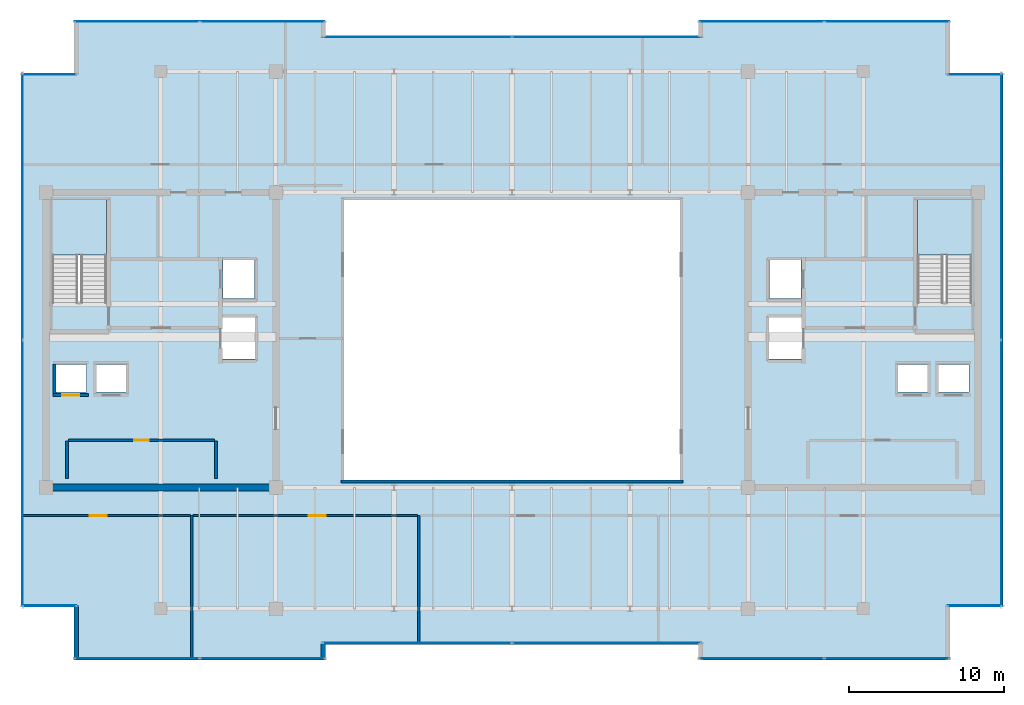
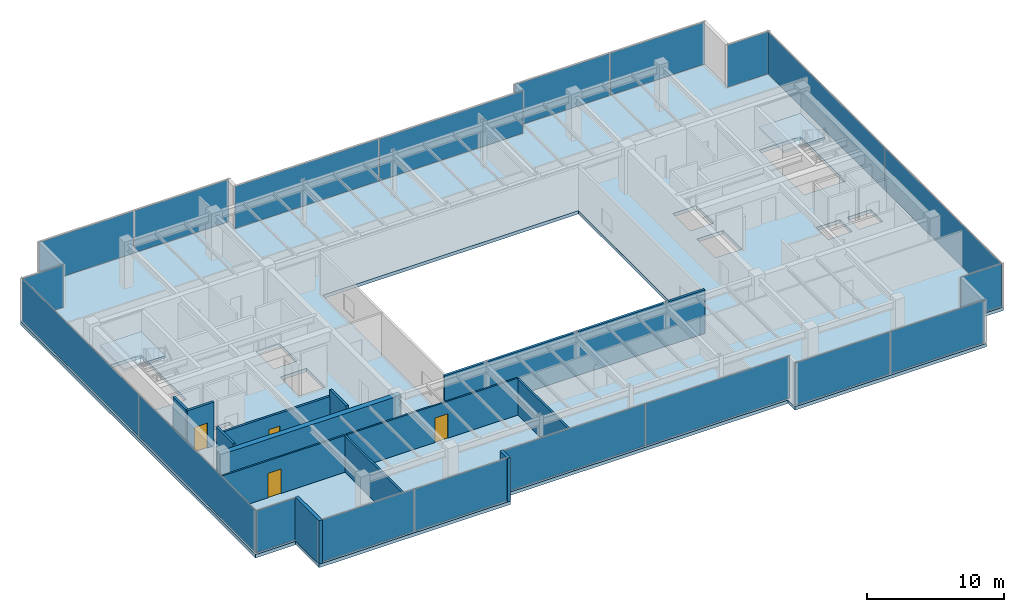
# One storey, part 26 of 31: 20 plates, 13 walls, 4 doors, 3 slabs, 4 openings, 14 elements without a shape of their own.
"""IFC4 building model written with IfcOpenShell, lengths in metres."""

from ifc_helpers import new_model, si_unit, direction, frame, frame_2d, origin, origin_2d, place, context, subcontext, project, spatial, polyline, rectangle, outline, extrude, source, transform, mapped, material, layer, layer_set, type_object, type_shapes, element, fill, aggregate, save


model = new_model("IFC4")

# Units and contexts
model_context = context("Model", 3, precision=1e-05, world=origin(), true_north=direction((0.0, 1.0)))
body_context = subcontext(model_context, "Body", "Model", "MODEL_VIEW")
ifc_project = project(units=[si_unit("LENGTHUNIT", "METRE"), si_unit("AREAUNIT", "SQUARE_METRE"), si_unit("VOLUMEUNIT", "CUBIC_METRE"), si_unit("PLANEANGLEUNIT", "RADIAN"), si_unit("MASSUNIT", "GRAM", prefix="KILO")], contexts=[model_context])

# Site, building, storey
site_placement = place(None, origin())
site = spatial("IfcSite", under=ifc_project, at=site_placement, CompositionType="ELEMENT")
building_placement = place(site_placement, origin())
building = spatial("IfcBuilding", under=site, at=building_placement, Name="Haelvirn Gate Laboratories", CompositionType="ELEMENT")
storey_placement = place(building_placement, frame((0.0, 0.0, 318.60009765625)))
storey = spatial("IfcBuildingStorey", under=building, at=storey_placement, Name="L76", CompositionType="ELEMENT", Elevation=318.60009765625)

# Stair, slab
ifc_material_1 = material(Name="Concrete C40/50", Category="concrete")
stair_type = type_object("IfcStairType", Name="ST-DOG-1650-R24", PredefinedType="HALF_TURN_STAIR", material=ifc_material_1)
stair_1_placement = place(storey_placement, origin())
stair_1 = element("IfcStair", 1, at=stair_1_placement, inside=storey, type_object=stair_type, Name="L76 Escape Stair ST1", PredefinedType="HALF_TURN_STAIR")
ifc_layer_1 = layer(ifc_material_1, 0.199951171875, Name="SL-STAIR-LND")
ifc_layer_set_1 = layer_set([ifc_layer_1], Name="Concrete C40/50")
slab_type_1 = type_object("IfcSlabType", Name="SL-STAIR-LND", PredefinedType="LANDING", material=ifc_layer_set_1)
slab_1_placement = place(storey_placement, frame((0.0, 0.0, 1.89990234375)))
slab_1 = element("IfcSlab", 2, at=slab_1_placement, type_object=slab_type_1, Name="ST1 landing 1", PredefinedType="LANDING", context=body_context, shape_type="SweptSolid", body=[
    extrude(outline(polyline([(11.300048828125, 29.780029296875), (11.300048828125, 33.35009765625), (7.800048828125, 33.35009765625), (7.800048828125, 29.780029296875), (11.300048828125, 29.780029296875)])), origin(), (0.0, 0.0, 1.0), 0.199951171875),
])
aggregate(stair_1, [slab_1])

stair_2_placement = place(storey_placement, origin())
stair_2 = element("IfcStair", 3, at=stair_2_placement, inside=storey, type_object=stair_type, Name="L76 Escape Stair ST2", PredefinedType="HALF_TURN_STAIR")
slab_2_placement = place(storey_placement, frame((0.0, 0.0, 1.89990234375)))
slab_2 = element("IfcSlab", 4, at=slab_2_placement, type_object=slab_type_1, Name="ST2 landing 1", PredefinedType="LANDING", context=body_context, shape_type="SweptSolid", body=[
    extrude(outline(polyline([(67.0, 29.780029296875), (67.0, 33.35009765625), (63.5, 33.35009765625), (63.5, 29.780029296875), (67.0, 29.780029296875)])), origin(), (0.0, 0.0, 1.0), 0.199951171875),
])
aggregate(stair_2, [slab_2])

# Slab
ifc_layer_2 = layer(ifc_material_1, 0.300048828125, Name="SL-Z3-300")
ifc_layer_set_2 = layer_set([ifc_layer_2], Name="Concrete C40/50")
slab_type_2 = type_object("IfcSlabType", Name="SL-Z3-300", PredefinedType="FLOOR", material=ifc_layer_set_2)
slab_3_placement = place(storey_placement, frame((0.0, 0.0, -0.300048828125)))
element("IfcSlab", 5, at=slab_3_placement, inside=storey, type_object=slab_type_2, Name="L76 Structural Slab MAIN", PredefinedType="FLOOR", context=body_context, shape_type="SweptSolid", body=[
    extrude(outline(polyline([(9.199951171875, 3.699951171875), (25.39990234375, 3.699951171875), (25.39990234375, 4.699951171875), (49.39990234375, 4.699951171875), (49.39990234375, 3.699951171875), (65.60009765625, 3.699951171875), (65.60009765625, 7.10009765625), (69.0, 7.10009765625), (69.0, 41.5), (65.60009765625, 41.5), (65.60009765625, 44.89990234375), (49.39990234375, 44.89990234375), (49.39990234375, 43.89990234375), (25.39990234375, 43.89990234375), (25.39990234375, 44.89990234375), (9.199951171875, 44.89990234375), (9.199951171875, 41.5), (5.800048828125, 41.5), (5.800048828125, 7.10009765625), (9.199951171875, 7.10009765625), (9.199951171875, 3.699951171875)]), holes=[polyline([(26.60009765625, 15.300048828125), (48.199951171875, 15.300048828125), (48.199951171875, 33.300048828125), (26.60009765625, 33.300048828125), (26.60009765625, 15.300048828125)]), polyline([(11.300048828125, 26.780029296875), (11.300048828125, 33.35009765625), (7.800048828125, 33.35009765625), (7.800048828125, 26.780029296875), (11.300048828125, 26.780029296875)]), polyline([(67.0, 26.780029296875), (67.0, 33.35009765625), (63.5, 33.35009765625), (63.5, 26.780029296875), (67.0, 26.780029296875)]), polyline([(7.989990234375, 20.969970703125), (10.010009765625, 20.969970703125), (10.010009765625, 22.7099609375), (7.989990234375, 22.7099609375), (7.989990234375, 20.969970703125)]), polyline([(10.590087890625, 20.969970703125), (12.610107421875, 20.969970703125), (12.610107421875, 22.7099609375), (10.590087890625, 22.7099609375), (10.590087890625, 20.969970703125)]), polyline([(18.7900390625, 26.969970703125), (20.81005859375, 26.969970703125), (20.81005859375, 29.510009765625), (18.7900390625, 29.510009765625), (18.7900390625, 26.969970703125)]), polyline([(18.68994140625, 23.070068359375), (20.909912109375, 23.070068359375), (20.909912109375, 25.81005859375), (18.68994140625, 25.81005859375), (18.68994140625, 23.070068359375)]), polyline([(64.7900390625, 20.969970703125), (66.81005859375, 20.969970703125), (66.81005859375, 22.7099609375), (64.7900390625, 22.7099609375), (64.7900390625, 20.969970703125)]), polyline([(62.18994140625, 20.969970703125), (64.2099609375, 20.969970703125), (64.2099609375, 22.7099609375), (62.18994140625, 22.7099609375), (62.18994140625, 20.969970703125)]), polyline([(53.989990234375, 26.969970703125), (56.010009765625, 26.969970703125), (56.010009765625, 29.510009765625), (53.989990234375, 29.510009765625), (53.989990234375, 26.969970703125)]), polyline([(53.889892578125, 23.070068359375), (56.110107421875, 23.070068359375), (56.110107421875, 25.81005859375), (53.889892578125, 25.81005859375), (53.889892578125, 23.070068359375)])]), origin(), (0.0, 0.0, 1.0), 0.300048828125),
])

# Curtain wall, plates
ifc_material_2 = material(Name="Anodised bronze unitised aluminium & triple low-E glass", Category="aluminium")
ifc_layer_3 = layer(ifc_material_2, 0.176025390625, Name="CW-SYS-4")
ifc_layer_set_3 = layer_set([ifc_layer_3], Name="Anodised bronze unitised aluminium & triple low-E glass")
curtain_wall_type_1 = type_object("IfcCurtainWallType", Name="CW-SYS-4", PredefinedType="NOTDEFINED", material=ifc_layer_set_3)
curtain_wall_1_placement = place(storey_placement, origin())
curtain_wall_1 = element("IfcCurtainWall", 6, at=curtain_wall_1_placement, inside=storey, type_object=curtain_wall_type_1, Name="L76 Unitised Curtain Wall CW-L76-P0-E02-1", PredefinedType="NOTDEFINED")
ifc_material_3 = material(Name="Acoustic laminated bronze triple IGU 36 mm", Category="glass")
ifc_layer_4 = layer(ifc_material_3, 0.035888671875, Name="CWP-IGU-36")
ifc_layer_set_4 = layer_set([ifc_layer_4], Name="Acoustic laminated bronze triple IGU 36 mm")
plate_type_1 = type_object("IfcPlateType", Name="CWP-IGU-36", PredefinedType="CURTAIN_PANEL", material=ifc_layer_set_4)
shared_shape_1 = source(origin(), body_context, "Body", "SweptSolid", [
    extrude(rectangle(XDim=12.135009765625, YDim=0.035888671875, at=origin_2d()), origin(), (0.0, 0.0, 1.0), 3.77001953125),
])
plate_1_placement = place(storey_placement, frame((31.297607421875, 4.800048828125, 0.06494140625), z_axis=(0.0, 0.0, 1.0), x_axis=(1.0, 0.0, 0.0)))
plate_1 = element("IfcPlate", 7, at=plate_1_placement, type_object=plate_type_1, Name="CW4 panel 1.1", PredefinedType="CURTAIN_PANEL", context=body_context, shape_type="MappedRepresentation", body=[
    mapped(shared_shape_1, transform((0.0, 0.0, 0.0), scale=1.0)),
])
plate_2_placement = place(storey_placement, frame((43.50244140625, 4.800048828125, 0.06494140625), z_axis=(0.0, 0.0, 1.0), x_axis=(1.0, 0.0, 0.0)))
plate_2 = element("IfcPlate", 8, at=plate_2_placement, type_object=plate_type_1, Name="CW4 panel 2.1", PredefinedType="CURTAIN_PANEL", context=body_context, shape_type="MappedRepresentation", body=[
    mapped(shared_shape_1, transform((0.0, 0.0, 0.0), scale=1.0)),
])
aggregate(curtain_wall_1, [plate_1, plate_2])

curtain_wall_2_placement = place(storey_placement, origin())
curtain_wall_2 = element("IfcCurtainWall", 9, at=curtain_wall_2_placement, inside=storey, type_object=curtain_wall_type_1, Name="L76 Unitised Curtain Wall CW-L76-P0-E12-1", PredefinedType="NOTDEFINED")
plate_3_placement = place(storey_placement, frame((31.297607421875, 43.800048828125, 0.06494140625), z_axis=(0.0, 0.0, 1.0), x_axis=(1.0, 0.0, 0.0)))
plate_3 = element("IfcPlate", 10, at=plate_3_placement, type_object=plate_type_1, Name="CW4 panel 1.1", PredefinedType="CURTAIN_PANEL", context=body_context, shape_type="MappedRepresentation", body=[
    mapped(shared_shape_1, transform((0.0, 0.0, 0.0), scale=1.0)),
])
plate_4_placement = place(storey_placement, frame((43.50244140625, 43.800048828125, 0.06494140625), z_axis=(0.0, 0.0, 1.0), x_axis=(1.0, 0.0, 0.0)))
plate_4 = element("IfcPlate", 11, at=plate_4_placement, type_object=plate_type_1, Name="CW4 panel 2.1", PredefinedType="CURTAIN_PANEL", context=body_context, shape_type="MappedRepresentation", body=[
    mapped(shared_shape_1, transform((0.0, 0.0, 0.0), scale=1.0)),
])
aggregate(curtain_wall_2, [plate_3, plate_4])

# Curtain wall, plate
ifc_layer_5 = layer(ifc_material_2, 0.181884765625, Name="CW-SYS-5")
ifc_layer_set_5 = layer_set([ifc_layer_5], Name="Anodised bronze unitised aluminium & triple low-E glass")
curtain_wall_type_2 = type_object("IfcCurtainWallType", Name="CW-SYS-5", PredefinedType="NOTDEFINED", material=ifc_layer_set_5)
curtain_wall_3_placement = place(storey_placement, origin())
curtain_wall_3 = element("IfcCurtainWall", 12, at=curtain_wall_3_placement, inside=storey, type_object=curtain_wall_type_2, Name="L76 Unitised Curtain Wall CW-L76-P0-E06-1", PredefinedType="NOTDEFINED")
ifc_material_4 = material(Name="Clear low-iron notched-corner triple IGU 42 mm", Category="glass")
ifc_layer_6 = layer(ifc_material_4, 0.0419921875, Name="CWP-NTC-42")
ifc_layer_set_6 = layer_set([ifc_layer_6], Name="Clear low-iron notched-corner triple IGU 42 mm")
plate_type_2 = type_object("IfcPlateType", Name="CWP-NTC-42", PredefinedType="CURTAIN_PANEL", material=ifc_layer_set_6)
shared_shape_2 = source(origin(), body_context, "Body", "SweptSolid", [
    extrude(rectangle(XDim=3.47998046875, YDim=0.0419921875, at=origin_2d()), origin(), (0.0, 0.0, 1.0), 3.77001953125),
])
type_shapes(plate_type_2, [shared_shape_2])
plate_5_placement = place(storey_placement, frame((67.179931640625, 7.199951171875, 0.06494140625), z_axis=(0.0, 0.0, 1.0), x_axis=(1.0, 0.0, 0.0)))
plate_5 = element("IfcPlate", 13, at=plate_5_placement, type_object=plate_type_2, Name="CW5 panel 1.1", PredefinedType="CURTAIN_PANEL", context=body_context, shape_type="MappedRepresentation", body=[
    mapped(shared_shape_2, transform((0.0, 0.0, 0.0), scale=1.0)),
])
aggregate(curtain_wall_3, [plate_5])

curtain_wall_4_placement = place(storey_placement, origin())
curtain_wall_4 = element("IfcCurtainWall", 14, at=curtain_wall_4_placement, inside=storey, type_object=curtain_wall_type_2, Name="L76 Unitised Curtain Wall CW-L76-P0-E08-1", PredefinedType="NOTDEFINED")
plate_6_placement = place(storey_placement, frame((67.179931640625, 41.39990234375, 0.06494140625), z_axis=(0.0, 0.0, 1.0), x_axis=(1.0, 0.0, 0.0)))
plate_6 = element("IfcPlate", 15, at=plate_6_placement, type_object=plate_type_2, Name="CW5 panel 1.1", PredefinedType="CURTAIN_PANEL", context=body_context, shape_type="MappedRepresentation", body=[
    mapped(shared_shape_2, transform((0.0, 0.0, 0.0), scale=1.0)),
])
aggregate(curtain_wall_4, [plate_6])

curtain_wall_5_placement = place(storey_placement, origin())
curtain_wall_5 = element("IfcCurtainWall", 16, at=curtain_wall_5_placement, inside=storey, type_object=curtain_wall_type_2, Name="L76 Unitised Curtain Wall CW-L76-P0-E16-1", PredefinedType="NOTDEFINED")
plate_7_placement = place(storey_placement, frame((7.6201171875, 41.39990234375, 0.06494140625), z_axis=(0.0, 0.0, 1.0), x_axis=(1.0, 0.0, 0.0)))
plate_7 = element("IfcPlate", 17, at=plate_7_placement, type_object=plate_type_2, Name="CW5 panel 1.1", PredefinedType="CURTAIN_PANEL", context=body_context, shape_type="MappedRepresentation", body=[
    mapped(shared_shape_2, transform((0.0, 0.0, 0.0), scale=1.0)),
])
aggregate(curtain_wall_5, [plate_7])

curtain_wall_6_placement = place(storey_placement, origin())
curtain_wall_6 = element("IfcCurtainWall", 18, at=curtain_wall_6_placement, inside=storey, type_object=curtain_wall_type_2, Name="L76 Unitised Curtain Wall CW-L76-P0-E18-1", PredefinedType="NOTDEFINED")
plate_8_placement = place(storey_placement, frame((7.6201171875, 7.199951171875, 0.06494140625), z_axis=(0.0, 0.0, 1.0), x_axis=(1.0, 0.0, 0.0)))
plate_8 = element("IfcPlate", 19, at=plate_8_placement, type_object=plate_type_2, Name="CW5 panel 1.1", PredefinedType="CURTAIN_PANEL", context=body_context, shape_type="MappedRepresentation", body=[
    mapped(shared_shape_2, transform((0.0, 0.0, 0.0), scale=1.0)),
])
aggregate(curtain_wall_6, [plate_8])

# Curtain wall, plates
curtain_wall_7_placement = place(storey_placement, origin())
curtain_wall_7 = element("IfcCurtainWall", 20, at=curtain_wall_7_placement, inside=storey, type_object=curtain_wall_type_1, Name="L76 Unitised Curtain Wall CW-L76-P0-E07", PredefinedType="NOTDEFINED")
shared_shape_3 = source(origin(), body_context, "Body", "SweptSolid", [
    extrude(rectangle(XDim=17.094970703125, YDim=0.035888671875, at=origin_2d()), origin(), (0.0, 0.0, 1.0), 3.77001953125),
])
plate_9_placement = place(storey_placement, frame((68.89990234375, 15.717529296875, 0.06494140625), z_axis=(0.0, 0.0, 1.0), x_axis=(0.0, 1.0, 0.0)))
plate_9 = element("IfcPlate", 21, at=plate_9_placement, type_object=plate_type_1, Name="CW4 panel 1.1", PredefinedType="CURTAIN_PANEL", context=body_context, shape_type="MappedRepresentation", body=[
    mapped(shared_shape_3, transform((0.0, 0.0, 0.0), scale=1.0)),
])
plate_10_placement = place(storey_placement, frame((68.89990234375, 32.882568359375, 0.06494140625), z_axis=(0.0, 0.0, 1.0), x_axis=(0.0, 1.0, 0.0)))
plate_10 = element("IfcPlate", 22, at=plate_10_placement, type_object=plate_type_1, Name="CW4 panel 2.1", PredefinedType="CURTAIN_PANEL", context=body_context, shape_type="MappedRepresentation", body=[
    mapped(shared_shape_3, transform((0.0, 0.0, 0.0), scale=1.0)),
])
aggregate(curtain_wall_7, [plate_9, plate_10])

curtain_wall_8_placement = place(storey_placement, origin())
curtain_wall_8 = element("IfcCurtainWall", 23, at=curtain_wall_8_placement, inside=storey, type_object=curtain_wall_type_1, Name="L76 Unitised Curtain Wall CW-L76-P0-E17", PredefinedType="NOTDEFINED")
plate_11_placement = place(storey_placement, frame((5.89990234375, 32.882568359375, 0.06494140625), z_axis=(0.0, 0.0, 1.0), x_axis=(0.0, -1.0, 0.0)))
plate_11 = element("IfcPlate", 24, at=plate_11_placement, type_object=plate_type_1, Name="CW4 panel 1.1", PredefinedType="CURTAIN_PANEL", context=body_context, shape_type="MappedRepresentation", body=[
    mapped(shared_shape_3, transform((0.0, 0.0, 0.0), scale=1.0)),
])
plate_12_placement = place(storey_placement, frame((5.89990234375, 15.717529296875, 0.06494140625), z_axis=(0.0, 0.0, 1.0), x_axis=(0.0, -1.0, 0.0)))
plate_12 = element("IfcPlate", 25, at=plate_12_placement, type_object=plate_type_1, Name="CW4 panel 2.1", PredefinedType="CURTAIN_PANEL", context=body_context, shape_type="MappedRepresentation", body=[
    mapped(shared_shape_3, transform((0.0, 0.0, 0.0), scale=1.0)),
])
aggregate(curtain_wall_8, [plate_11, plate_12])

curtain_wall_9_placement = place(storey_placement, origin())
curtain_wall_9 = element("IfcCurtainWall", 26, at=curtain_wall_9_placement, inside=storey, type_object=curtain_wall_type_1, Name="L76 Unitised Curtain Wall CW-L76-P0-E00-1", PredefinedType="NOTDEFINED")
shared_shape_4 = source(origin(), body_context, "Body", "SweptSolid", [
    extrude(rectangle(XDim=7.9951171875, YDim=0.035888671875, at=origin_2d()), origin(), (0.0, 0.0, 1.0), 3.77001953125),
])
type_shapes(plate_type_1, [shared_shape_1, shared_shape_3, shared_shape_4])
plate_13_placement = place(storey_placement, frame((13.267578125, 3.800048828125, 0.06494140625), z_axis=(0.0, 0.0, 1.0), x_axis=(1.0, 0.0, 0.0)))
plate_13 = element("IfcPlate", 27, at=plate_13_placement, type_object=plate_type_1, Name="CW4 panel 1.1", PredefinedType="CURTAIN_PANEL", context=body_context, shape_type="MappedRepresentation", body=[
    mapped(shared_shape_4, transform((0.0, 0.0, 0.0), scale=1.0)),
])
plate_14_placement = place(storey_placement, frame((21.33251953125, 3.800048828125, 0.06494140625), z_axis=(0.0, 0.0, 1.0), x_axis=(1.0, 0.0, 0.0)))
plate_14 = element("IfcPlate", 28, at=plate_14_placement, type_object=plate_type_1, Name="CW4 panel 2.1", PredefinedType="CURTAIN_PANEL", context=body_context, shape_type="MappedRepresentation", body=[
    mapped(shared_shape_4, transform((0.0, 0.0, 0.0), scale=1.0)),
])
aggregate(curtain_wall_9, [plate_13, plate_14])

curtain_wall_10_placement = place(storey_placement, origin())
curtain_wall_10 = element("IfcCurtainWall", 29, at=curtain_wall_10_placement, inside=storey, type_object=curtain_wall_type_1, Name="L76 Unitised Curtain Wall CW-L76-P0-E04-1", PredefinedType="NOTDEFINED")
plate_15_placement = place(storey_placement, frame((53.467529296875, 3.800048828125, 0.06494140625), z_axis=(0.0, 0.0, 1.0), x_axis=(1.0, 0.0, 0.0)))
plate_15 = element("IfcPlate", 30, at=plate_15_placement, type_object=plate_type_1, Name="CW4 panel 1.1", PredefinedType="CURTAIN_PANEL", context=body_context, shape_type="MappedRepresentation", body=[
    mapped(shared_shape_4, transform((0.0, 0.0, 0.0), scale=1.0)),
])
plate_16_placement = place(storey_placement, frame((61.532470703125, 3.800048828125, 0.06494140625), z_axis=(0.0, 0.0, 1.0), x_axis=(1.0, 0.0, 0.0)))
plate_16 = element("IfcPlate", 31, at=plate_16_placement, type_object=plate_type_1, Name="CW4 panel 2.1", PredefinedType="CURTAIN_PANEL", context=body_context, shape_type="MappedRepresentation", body=[
    mapped(shared_shape_4, transform((0.0, 0.0, 0.0), scale=1.0)),
])
aggregate(curtain_wall_10, [plate_15, plate_16])

curtain_wall_11_placement = place(storey_placement, origin())
curtain_wall_11 = element("IfcCurtainWall", 32, at=curtain_wall_11_placement, inside=storey, type_object=curtain_wall_type_1, Name="L76 Unitised Curtain Wall CW-L76-P0-E10-1", PredefinedType="NOTDEFINED")
plate_17_placement = place(storey_placement, frame((53.467529296875, 44.800048828125, 0.06494140625), z_axis=(0.0, 0.0, 1.0), x_axis=(1.0, 0.0, 0.0)))
plate_17 = element("IfcPlate", 33, at=plate_17_placement, type_object=plate_type_1, Name="CW4 panel 1.1", PredefinedType="CURTAIN_PANEL", context=body_context, shape_type="MappedRepresentation", body=[
    mapped(shared_shape_4, transform((0.0, 0.0, 0.0), scale=1.0)),
])
plate_18_placement = place(storey_placement, frame((61.532470703125, 44.800048828125, 0.06494140625), z_axis=(0.0, 0.0, 1.0), x_axis=(1.0, 0.0, 0.0)))
plate_18 = element("IfcPlate", 34, at=plate_18_placement, type_object=plate_type_1, Name="CW4 panel 2.1", PredefinedType="CURTAIN_PANEL", context=body_context, shape_type="MappedRepresentation", body=[
    mapped(shared_shape_4, transform((0.0, 0.0, 0.0), scale=1.0)),
])
aggregate(curtain_wall_11, [plate_17, plate_18])

curtain_wall_12_placement = place(storey_placement, origin())
curtain_wall_12 = element("IfcCurtainWall", 35, at=curtain_wall_12_placement, inside=storey, type_object=curtain_wall_type_1, Name="L76 Unitised Curtain Wall CW-L76-P0-E14-1", PredefinedType="NOTDEFINED")
plate_19_placement = place(storey_placement, frame((13.267578125, 44.800048828125, 0.06494140625), z_axis=(0.0, 0.0, 1.0), x_axis=(1.0, 0.0, 0.0)))
plate_19 = element("IfcPlate", 36, at=plate_19_placement, type_object=plate_type_1, Name="CW4 panel 1.1", PredefinedType="CURTAIN_PANEL", context=body_context, shape_type="MappedRepresentation", body=[
    mapped(shared_shape_4, transform((0.0, 0.0, 0.0), scale=1.0)),
])
plate_20_placement = place(storey_placement, frame((21.33251953125, 44.800048828125, 0.06494140625), z_axis=(0.0, 0.0, 1.0), x_axis=(1.0, 0.0, 0.0)))
plate_20 = element("IfcPlate", 37, at=plate_20_placement, type_object=plate_type_1, Name="CW4 panel 2.1", PredefinedType="CURTAIN_PANEL", context=body_context, shape_type="MappedRepresentation", body=[
    mapped(shared_shape_4, transform((0.0, 0.0, 0.0), scale=1.0)),
])
aggregate(curtain_wall_12, [plate_19, plate_20])

# Walls
ifc_material_5 = material(Name="Thermally-broken bronze aluminium rainscreen & mineral wool", Category="aluminium")
ifc_layer_7 = layer(ifc_material_5, 0.280029296875, Name="EW-TERR-280")
ifc_layer_set_7 = layer_set([ifc_layer_7], Name="Thermally-broken bronze aluminium rainscreen & mineral wool")
wall_type_1 = type_object("IfcWallType", Name="EW-TERR-280", PredefinedType="STANDARD", material=ifc_layer_set_7)
wall_1_placement = place(storey_placement, frame((25.260009765625, 3.699951171875, 0.0), z_axis=(0.0, 0.0, 1.0), x_axis=(0.0, 1.0, 0.0)))
element("IfcWall", 38, at=wall_1_placement, inside=storey, type_object=wall_type_1, Name="L76 Atrium Recess Bronze Return Wall 01", PredefinedType="STANDARD", context=body_context, shape_type="SweptSolid", body=[
    extrude(rectangle(XDim=1.093017578125, YDim=0.280029296875, at=frame_2d((0.54638671875, 0.0))), origin(), (0.0, 0.0, 1.0), 3.89990234375),
])
wall_2_placement = place(storey_placement, frame((9.340087890625, 7.18798828125, 0.0), z_axis=(0.0, 0.0, 1.0), x_axis=(0.0, -1.0, 0.0)))
element("IfcWall", 39, at=wall_2_placement, inside=storey, type_object=wall_type_1, Name="L76 Atrium Recess Bronze Return Wall 19", PredefinedType="STANDARD", context=body_context, shape_type="SweptSolid", body=[
    extrude(rectangle(XDim=3.488037109375, YDim=0.280029296875, at=frame_2d((1.744140625, 0.0))), origin(), (0.0, 0.0, 1.0), 3.89990234375),
])
ifc_material_6 = material(Name="Double-layer acoustic gypsum laboratory partition", Category="gypsum")
ifc_layer_8 = layer(ifc_material_6, 0.159912109375, Name="IW-ACOUST-160")
ifc_layer_set_8 = layer_set([ifc_layer_8], Name="Double-layer acoustic gypsum laboratory partition")
wall_type_2 = type_object("IfcWallType", Name="IW-ACOUST-160", PredefinedType="PARTITIONING", material=ifc_layer_set_8)
wall_3_placement = place(storey_placement, frame((16.800048828125, 3.81005859375, 0.0), z_axis=(0.0, 0.0, 1.0), x_axis=(0.0, 1.0, 0.0)))
element("IfcWall", 40, at=wall_3_placement, inside=storey, type_object=wall_type_2, Name="L76 Interior Wall IW-L76-SDIV-01", PredefinedType="PARTITIONING", context=body_context, shape_type="SweptSolid", body=[
    extrude(rectangle(XDim=9.18505859375, YDim=0.159912109375, at=frame_2d((4.592529296875, 0.0))), origin(), (0.0, 0.0, 1.0), 3.23486328125),
])
wall_4_placement = place(storey_placement, frame((31.39990234375, 4.81005859375, 0.0), z_axis=(0.0, 0.0, 1.0), x_axis=(0.0, 1.0, 0.0)))
element("IfcWall", 41, at=wall_4_placement, inside=storey, type_object=wall_type_2, Name="L76 Interior Wall IW-L76-SDIV-02", PredefinedType="PARTITIONING", context=body_context, shape_type="SweptSolid", body=[
    extrude(rectangle(XDim=8.18505859375, YDim=0.159912109375, at=frame_2d((4.092529296875, 0.0))), origin(), (0.0, 0.0, 1.0), 3.23486328125),
])
ifc_material_7 = material(Name="Tempered fire-rated borosilicate glass & anodised aluminium", Category="aluminium")
ifc_layer_9 = layer(ifc_material_7, 0.195068359375, Name="IW-GLAZ-200")
ifc_layer_set_9 = layer_set([ifc_layer_9], Name="Tempered fire-rated borosilicate glass & anodised aluminium")
wall_type_3 = type_object("IfcWallType", Name="IW-GLAZ-200", PredefinedType="SOLIDWALL", material=ifc_layer_set_9)
wall_5_placement = place(storey_placement, frame((26.39990234375, 15.199951171875, 0.0), z_axis=(0.0, 0.0, 1.0), x_axis=(1.0, 0.0, 0.0)))
element("IfcWall", 42, at=wall_5_placement, inside=storey, type_object=wall_type_3, Name="L76 Interior Wall IW-L76-ATRIUM-S", PredefinedType="SOLIDWALL", context=body_context, shape_type="SweptSolid", body=[
    extrude(rectangle(XDim=22.0, YDim=0.195068359375, at=frame_2d((11.0, 0.0))), origin(), (0.0, 0.0, 1.0), 3.89990234375),
])

# Wall, opening, door
ifc_material_8 = material(Name="Acoustic mineral-wool gypsum board partition", Category="gypsum")
ifc_layer_10 = layer(ifc_material_8, 0.139892578125, Name="IW-PART-140")
ifc_layer_set_10 = layer_set([ifc_layer_10], Name="Acoustic mineral-wool gypsum board partition")
wall_type_4 = type_object("IfcWallType", Name="IW-PART-140", PredefinedType="PARTITIONING", material=ifc_layer_set_10)
wall_6_placement = place(storey_placement, frame((5.909912109375, 12.9951171875, 0.0), z_axis=(0.0, 0.0, 1.0), x_axis=(1.0, 0.0, 0.0)))
wall_6 = element("IfcWall", 43, at=wall_6_placement, inside=storey, type_object=wall_type_4, Name="L76 Interior Wall IW-L76-SCORR-01", PredefinedType="PARTITIONING", context=body_context, shape_type="SweptSolid", body=[
    extrude(rectangle(XDim=10.81005859375, YDim=0.139892578125, at=frame_2d((5.405029296875, 0.0))), origin(), (0.0, 0.0, 1.0), 3.296875),
])
opening_1_placement = place(wall_6_placement, frame((4.314453125, 0.0, 0.0)))
opening_1 = element("IfcOpeningElement", 44, at=opening_1_placement, cuts=wall_6, Name="Opening D1", PredefinedType="OPENING", context=body_context, shape_type="SweptSolid", body=[
    extrude(rectangle(XDim=1.10009765625, YDim=2.179931640625, at=frame_2d((0.550048828125, 1.08984375))), frame((0.0, 0.080078125, 0.0), z_axis=(0.0, -1.0, 0.0), x_axis=(1.0, 0.0, 0.0)), (0.0, 0.0, 1.0), 0.159912109375),
])
ifc_material_9 = material(Name="Vision-panel acoustic solid-core timber lab door", Category="wood")
door_type_1 = type_object("IfcDoorType", Name="DR-LAB-1100", OperationType="NOTDEFINED", PredefinedType="DOOR", material=ifc_material_9)
shared_shape_5 = source(origin(), body_context, "Body", "SweptSolid", [
    extrude(rectangle(XDim=1.10009765625, YDim=2.179931640625, at=frame_2d((0.550048828125, 1.08984375))), frame((0.0, 0.02490234375, 0.0), z_axis=(0.0, -1.0, 0.0), x_axis=(1.0, 0.0, 0.0)), (0.0, 0.0, 1.0), 0.050048828125),
])
type_shapes(door_type_1, [shared_shape_5])
door_1_placement = place(opening_1_placement, origin())
door_1 = element("IfcDoor", 45, at=door_1_placement, inside=storey, type_object=door_type_1, Name="L76 Bioinformatics Dry-Lab Workspace Door S1", OperationType="SINGLE_SWING_LEFT", OverallHeight=2.179931640625, OverallWidth=1.10009765625, PredefinedType="DOOR", context=body_context, shape_type="MappedRepresentation", body=[
    mapped(shared_shape_5, transform((0.0, 0.0, 0.0), scale=1.0)),
])
fill(opening_1, door_1)

wall_7_placement = place(storey_placement, frame((16.8798828125, 12.9951171875, 0.0), z_axis=(0.0, 0.0, 1.0), x_axis=(1.0, 0.0, 0.0)))
wall_7 = element("IfcWall", 46, at=wall_7_placement, inside=storey, type_object=wall_type_4, Name="L76 Interior Wall IW-L76-SCORR-02", PredefinedType="PARTITIONING", context=body_context, shape_type="SweptSolid", body=[
    extrude(rectangle(XDim=14.440185546875, YDim=0.139892578125, at=frame_2d((7.22021484375, 0.0))), origin(), (0.0, 0.0, 1.0), 3.296875),
])
opening_2_placement = place(wall_7_placement, frame((7.428466796875, 0.0, 0.0)))
opening_2 = element("IfcOpeningElement", 47, at=opening_2_placement, cuts=wall_7, Name="Opening D1", PredefinedType="OPENING", context=body_context, shape_type="SweptSolid", body=[
    extrude(rectangle(XDim=1.10009765625, YDim=2.179931640625, at=frame_2d((0.550048828125, 1.08984375))), frame((0.0, 0.080078125, 0.0), z_axis=(0.0, -1.0, 0.0), x_axis=(1.0, 0.0, 0.0)), (0.0, 0.0, 1.0), 0.159912109375),
])
door_2_placement = place(opening_2_placement, origin())
door_2 = element("IfcDoor", 48, at=door_2_placement, inside=storey, type_object=door_type_1, Name="L76 Translational Data Office Door S2", OperationType="SINGLE_SWING_RIGHT", OverallHeight=2.179931640625, OverallWidth=1.10009765625, PredefinedType="DOOR", context=body_context, shape_type="MappedRepresentation", body=[
    mapped(shared_shape_5, transform((0.0, 0.0, 0.0), scale=1.0)),
])
fill(opening_2, door_2)

# Wall
ifc_layer_11 = layer(ifc_material_1, 0.179931640625, Name="IW-SHAFT-180")
ifc_layer_set_11 = layer_set([ifc_layer_11], Name="Concrete C40/50")
wall_type_5 = type_object("IfcWallType", Name="IW-SHAFT-180", PredefinedType="SOLIDWALL", material=ifc_layer_set_11)
wall_8_placement = place(storey_placement, frame((7.949951171875, 20.85009765625, 0.0), z_axis=(0.0, 0.0, 1.0), x_axis=(0.0, 1.0, 0.0)))
element("IfcWall", 49, at=wall_8_placement, inside=storey, type_object=wall_type_5, Name="L76 Interior Wall IW-L76-PL9-SD", PredefinedType="SOLIDWALL", context=body_context, shape_type="SweptSolid", body=[
    extrude(rectangle(XDim=1.89990234375, YDim=0.179931640625, at=frame_2d((0.949951171875, 0.0))), origin(), (0.0, 0.0, 1.0), 3.89990234375),
])

# Wall, opening, door
wall_9_placement = place(storey_placement, frame((8.85009765625, 17.85009765625, 0.0), z_axis=(0.0, 0.0, 1.0), x_axis=(1.0, 0.0, 0.0)))
wall_9 = element("IfcWall", 50, at=wall_9_placement, inside=storey, type_object=wall_type_5, Name="L76 Interior Wall IW-L76-W-FREED-HN-1", PredefinedType="SOLIDWALL", context=body_context, shape_type="SweptSolid", body=[
    extrude(rectangle(XDim=9.39990234375, YDim=0.179931640625, at=frame_2d((4.699951171875, 0.0))), origin(), (0.0, 0.0, 1.0), 3.296875),
])
opening_3_placement = place(wall_9_placement, frame((4.22509765625, 0.0, 0.0)))
opening_3 = element("IfcOpeningElement", 51, at=opening_3_placement, cuts=wall_9, Name="Opening FD4", PredefinedType="OPENING", context=body_context, shape_type="SweptSolid", body=[
    extrude(rectangle(XDim=0.949951171875, YDim=2.14990234375, at=frame_2d((0.47509765625, 1.074951171875))), frame((0.0, 0.10009765625, 0.0), z_axis=(0.0, -1.0, 0.0), x_axis=(1.0, 0.0, 0.0)), (0.0, 0.0, 1.0), 0.199951171875),
])
ifc_material_10 = material(Name="Fire-rated steel SM355 core service door", Category="steel")
door_type_2 = type_object("IfcDoorType", Name="DR-FD-950", OperationType="NOTDEFINED", PredefinedType="DOOR", material=ifc_material_10)
shared_shape_6 = source(origin(), body_context, "Body", "SweptSolid", [
    extrude(rectangle(XDim=0.949951171875, YDim=2.14990234375, at=frame_2d((0.47509765625, 1.074951171875))), frame((0.0, 0.02490234375, 0.0), z_axis=(0.0, -1.0, 0.0), x_axis=(1.0, 0.0, 0.0)), (0.0, 0.0, 1.0), 0.050048828125),
])
type_shapes(door_type_2, [shared_shape_6])
door_3_placement = place(opening_3_placement, origin())
door_3 = element("IfcDoor", 52, at=door_3_placement, inside=storey, type_object=door_type_2, Name="L76 Core Metrology & Calibration Laboratory Door", OperationType="SINGLE_SWING_LEFT", OverallHeight=2.14990234375, OverallWidth=0.949951171875, PredefinedType="DOOR", context=body_context, shape_type="MappedRepresentation", body=[
    mapped(shared_shape_6, transform((0.0, 0.0, 0.0), scale=1.0)),
])
fill(opening_3, door_3)

# Walls
for number, where, z_axis, x_axis, name in (
    (53, (18.340087890625, 15.39990234375, 0.0), (0.0, 0.0, 1.0), (0.0, 1.0, 0.0), "L76 Interior Wall IW-L76-W-FREED-HE-1"),
    (54, (8.760009765625, 15.39990234375, 0.0), (0.0, 0.0, 1.0), (0.0, 1.0, 0.0), "L76 Interior Wall IW-L76-W-FREED-HW-1"),
):
    element("IfcWall", number, at=place(storey_placement, frame(where, z_axis=z_axis, x_axis=x_axis)), inside=storey, type_object=wall_type_5, Name=name, PredefinedType="SOLIDWALL", context=body_context, shape_type="SweptSolid", body=[
        extrude(rectangle(XDim=2.400146484375, YDim=0.179931640625, at=frame_2d((1.2001953125, 0.0))), origin(), (0.0, 0.0, 1.0), 3.89990234375),
    ])

# Wall, opening, door
ifc_layer_12 = layer(ifc_material_1, 0.199951171875, Name="IW-SHAFT-200")
ifc_layer_set_12 = layer_set([ifc_layer_12], Name="Concrete C40/50")
wall_type_6 = type_object("IfcWallType", Name="IW-SHAFT-200", PredefinedType="SOLIDWALL", material=ifc_layer_set_12)
wall_10_placement = place(storey_placement, frame((7.8701171875, 20.75, 0.0), z_axis=(0.0, 0.0, 1.0), x_axis=(1.0, 0.0, 0.0)))
wall_10 = element("IfcWall", 55, at=wall_10_placement, inside=storey, type_object=wall_type_6, Name="L76 Interior Wall IW-L76-PL9-FR", PredefinedType="SOLIDWALL", context=body_context, shape_type="SweptSolid", body=[
    extrude(rectangle(XDim=2.259765625, YDim=0.199951171875, at=frame_2d((1.1298828125, 0.0))), origin(), (0.0, 0.0, 1.0), 3.89990234375),
])
opening_4_placement = place(wall_10_placement, frame((0.580078125, 0.0, 0.0)))
opening_4 = element("IfcOpeningElement", 56, at=opening_4_placement, cuts=wall_10, Name="Opening LD2", PredefinedType="OPENING", context=body_context, shape_type="SweptSolid", body=[
    extrude(rectangle(XDim=1.10009765625, YDim=2.219970703125, at=frame_2d((0.550048828125, 1.10986328125))), frame((0.0, 0.10986328125, 0.0), z_axis=(0.0, -1.0, 0.0), x_axis=(1.0, 0.0, 0.0)), (0.0, 0.0, 1.0), 0.219970703125),
])
ifc_material_11 = material(Name="Bronze stainless 316L sliding lift landing door")
door_type_3 = type_object("IfcDoorType", Name="DR-LD-1100", OperationType="NOTDEFINED", PredefinedType="USERDEFINED", material=ifc_material_11)
shared_shape_7 = source(origin(), body_context, "Body", "SweptSolid", [
    extrude(rectangle(XDim=1.10009765625, YDim=2.219970703125, at=frame_2d((0.550048828125, 1.10986328125))), frame((0.0, 0.02490234375, 0.0), z_axis=(0.0, -1.0, 0.0), x_axis=(1.0, 0.0, 0.0)), (0.0, 0.0, 1.0), 0.050048828125),
])
type_shapes(door_type_3, [shared_shape_7])
door_4_placement = place(opening_4_placement, origin())
door_4 = element("IfcDoor", 57, at=door_4_placement, inside=storey, type_object=door_type_3, Name="L76 Passenger Lift PL9 Landing Door", ObjectType="LANDING_DOOR", OperationType="SLIDING_TO_LEFT", OverallHeight=2.219970703125, OverallWidth=1.10009765625, PredefinedType="USERDEFINED", context=body_context, shape_type="MappedRepresentation", body=[
    mapped(shared_shape_7, transform((0.0, 0.0, 0.0), scale=1.0)),
])
fill(opening_4, door_4)

# Wall
ifc_material_12 = material(Name="Concrete C50/60", Category="concrete")
ifc_layer_13 = layer(ifc_material_12, 0.449951171875, Name="SW-CORE-450")
ifc_layer_set_13 = layer_set([ifc_layer_13], Name="Concrete C50/60")
wall_type_7 = type_object("IfcWallType", Name="SW-CORE-450", PredefinedType="SHEAR", material=ifc_layer_set_13)
wall_11_placement = place(storey_placement, frame((7.175048828125, 14.800048828125, 0.0), z_axis=(0.0, 0.0, 1.0), x_axis=(1.0, 0.0, 0.0)))
element("IfcWall", 58, at=wall_11_placement, inside=storey, type_object=wall_type_7, Name="L76 W Core Shear Wall S", PredefinedType="SHEAR", context=body_context, shape_type="SweptSolid", body=[
    extrude(rectangle(XDim=15.25, YDim=0.449951171875, at=frame_2d((7.625, 0.0))), origin(), (0.0, 0.0, 1.0), 3.89990234375),
])

save(model, "model.ifc")
